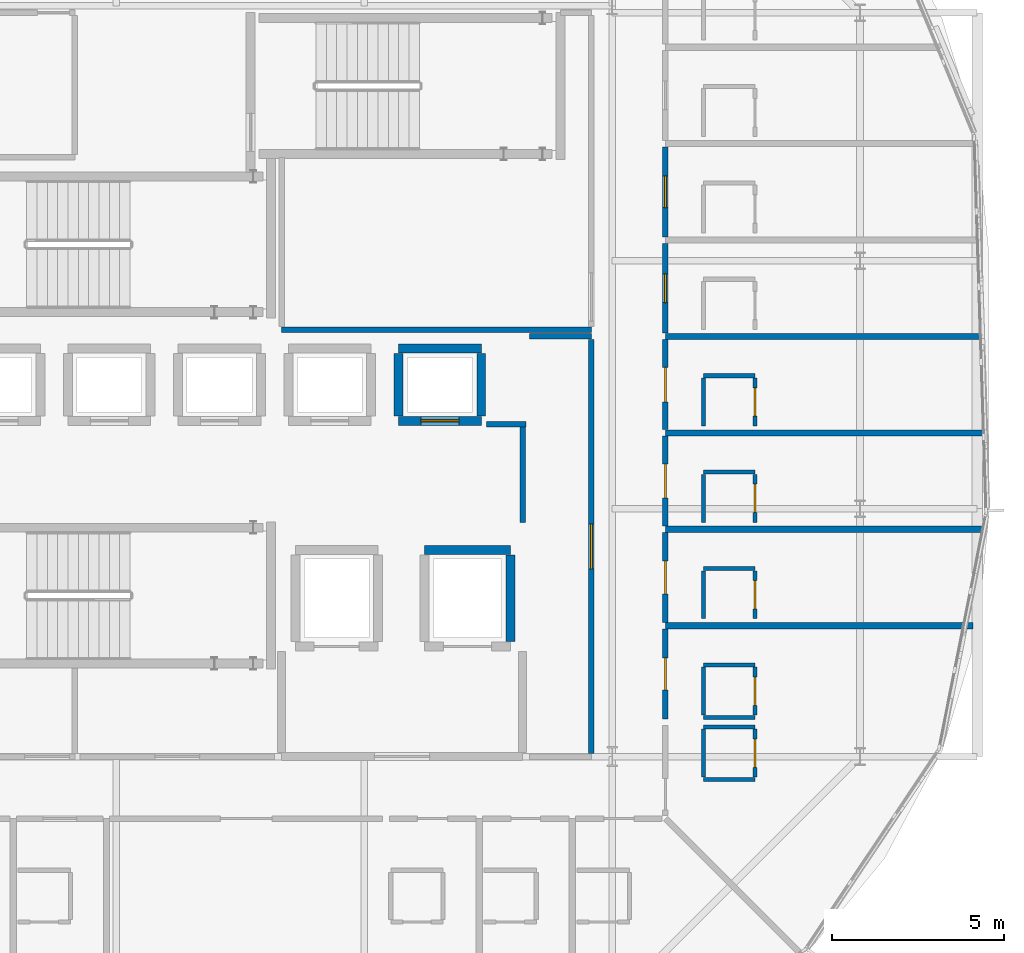
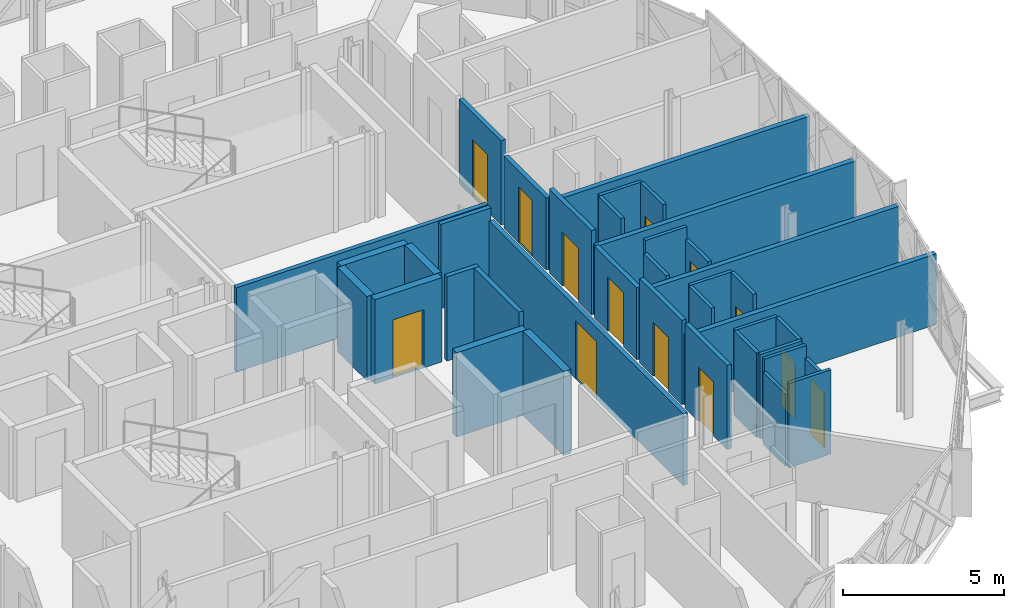
# One storey, part 18 of 26: 38 walls, 13 doors, 13 openings.
"""IFC4 building model written with IfcOpenShell, lengths in metres."""

from ifc_helpers import new_model, si_unit, direction, frame, frame_2d, origin, place, context, subcontext, project, spatial, rectangle, extrude, material, layer, layer_set, type_object, element, fill, save


model = new_model("IFC4")

# Units and contexts
model_context = context("Model", 3, precision=1e-05, world=origin(), true_north=direction((0.0, 1.0)))
body_context = subcontext(model_context, "Body", "Model", "MODEL_VIEW")
ifc_project = project(units=[si_unit("LENGTHUNIT", "METRE"), si_unit("AREAUNIT", "SQUARE_METRE"), si_unit("VOLUMEUNIT", "CUBIC_METRE"), si_unit("PLANEANGLEUNIT", "RADIAN"), si_unit("MASSUNIT", "GRAM", prefix="KILO")], contexts=[model_context])

# Site, building, storey
site_placement = place(None, origin())
site = spatial("IfcSite", under=ifc_project, at=site_placement, CompositionType="ELEMENT")
building_placement = place(site_placement, origin())
building = spatial("IfcBuilding", under=site, at=building_placement, Name="Zevrakil Square Congress Hotel", CompositionType="ELEMENT")
storey_placement = place(building_placement, frame((0.0, 0.0, 24.89990234375)))
storey = spatial("IfcBuildingStorey", under=building, at=storey_placement, Name="L07", CompositionType="ELEMENT", Elevation=24.89990234375)

# Walls
ifc_material_1 = material(Name="Gypsum Acoustic Stud Partition")
ifc_layer_1 = layer(ifc_material_1, 0.159912109375)
ifc_layer_set_1 = layer_set([ifc_layer_1], Name="Gypsum Acoustic Stud Partition")
wall_type_1 = type_object("IfcWallType", Name="WAL-CORR-160", PredefinedType="PARTITIONING", material=ifc_layer_set_1)
wall_1_placement = place(storey_placement, frame((146.39990234375, 29.199951171875, 0.0), z_axis=(0.0, 0.0, 1.0), x_axis=(1.0, 0.0, 0.0)))
element("IfcWall", 1, at=wall_1_placement, inside=storey, type_object=wall_type_1, Name="L07 interior partition PW-L07-0931", PredefinedType="PARTITIONING", context=body_context, shape_type="SweptSolid", body=[
    extrude(rectangle(XDim=9.0, YDim=0.159912109375, at=frame_2d((4.5, 0.0))), origin(), (0.0, 0.0, 1.0), 3.190185546875),
])
wall_2_placement = place(storey_placement, frame((153.60009765625, 29.0, 0.0), z_axis=(0.0, 0.0, 1.0), x_axis=(1.0, 0.0, 0.0)))
element("IfcWall", 2, at=wall_2_placement, inside=storey, type_object=wall_type_1, Name="L07 interior partition PW-L07-0936", PredefinedType="PARTITIONING", context=body_context, shape_type="SweptSolid", body=[
    extrude(rectangle(XDim=1.7998046875, YDim=0.159912109375, at=frame_2d((0.89990234375, 0.0))), origin(), (0.0, 0.0, 1.0), 3.190185546875),
])

# Wall, opening, door
wall_3_placement = place(storey_placement, frame((155.39990234375, 16.885009765625, 0.0), z_axis=(0.0, 0.0, 1.0), x_axis=(0.0, 1.0, 0.0)))
wall_3 = element("IfcWall", 3, at=wall_3_placement, inside=storey, type_object=wall_type_1, Name="L07 interior partition PW-L07-0937", PredefinedType="PARTITIONING", context=body_context, shape_type="SweptSolid", body=[
    extrude(rectangle(XDim=12.030029296875, YDim=0.159912109375, at=frame_2d((6.01513671875, 0.0))), origin(), (0.0, 0.0, 1.0), 2.72509765625),
])
opening_1_placement = place(wall_3_placement, frame((5.364990234375, 0.0, 0.0)))
opening_1 = element("IfcOpeningElement", 4, at=opening_1_placement, cuts=wall_3, Name="Opening ID-08", PredefinedType="OPENING", context=body_context, shape_type="SweptSolid", body=[
    extrude(rectangle(XDim=1.300048828125, YDim=2.199951171875, at=frame_2d((0.64990234375, 1.10009765625))), frame((0.0, 0.08984375, 0.0), z_axis=(0.0, -1.0, 0.0), x_axis=(1.0, 0.0, 0.0)), (0.0, 0.0, 1.0), 0.179931640625),
])
ifc_material_2 = material(Name="Service Corridor Leaf-and-Half Door")
door_type_1 = type_object("IfcDoorType", Name="DOR-BOH-130", OperationType="NOTDEFINED", PredefinedType="DOOR", material=ifc_material_2)
door_1_placement = place(opening_1_placement, origin())
door_1 = element("IfcDoor", 5, at=door_1_placement, inside=storey, type_object=door_type_1, Name="L07 interior door 368", OperationType="SINGLE_SWING_RIGHT", OverallHeight=2.199951171875, OverallWidth=1.300048828125, PredefinedType="DOOR", context=body_context, shape_type="SweptSolid", body=[
    extrude(rectangle(XDim=1.300048828125, YDim=2.199951171875, at=frame_2d((0.64990234375, 1.10009765625))), frame((0.0, 0.02490234375, 0.0), z_axis=(0.0, -1.0, 0.0), x_axis=(1.0, 0.0, 0.0)), (0.0, 0.0, 1.0), 0.050048828125),
])
fill(opening_1, door_1)

# Walls
wall_4_placement = place(storey_placement, frame((152.35009765625, 26.449951171875, 0.0), z_axis=(0.0, 0.0, 1.0), x_axis=(1.0, 0.0, 0.0)))
element("IfcWall", 6, at=wall_4_placement, inside=storey, type_object=wall_type_1, Name="L07 interior partition PW-L07-0938", PredefinedType="PARTITIONING", context=body_context, shape_type="SweptSolid", body=[
    extrude(rectangle(XDim=1.14990234375, YDim=0.159912109375, at=frame_2d((0.574951171875, 0.0))), origin(), (0.0, 0.0, 1.0), 3.190185546875),
])
wall_5_placement = place(storey_placement, frame((153.39990234375, 23.60009765625, 0.0), z_axis=(0.0, 0.0, 1.0), x_axis=(0.0, 1.0, 0.0)))
element("IfcWall", 7, at=wall_5_placement, inside=storey, type_object=wall_type_1, Name="L07 interior partition PW-L07-0939", PredefinedType="PARTITIONING", context=body_context, shape_type="SweptSolid", body=[
    extrude(rectangle(XDim=2.7998046875, YDim=0.159912109375, at=frame_2d((1.39990234375, 0.0))), origin(), (0.0, 0.0, 1.0), 3.190185546875),
])

# Wall, opening, door
wall_6_placement = place(storey_placement, frame((157.550048828125, 17.89501953125, 0.0), z_axis=(0.0, 0.0, 1.0), x_axis=(0.0, 1.0, 0.0)))
wall_6 = element("IfcWall", 8, at=wall_6_placement, inside=storey, type_object=wall_type_1, Name="L07 interior partition PW-L07-0979", PredefinedType="PARTITIONING", context=body_context, shape_type="SweptSolid", body=[
    extrude(rectangle(XDim=2.60986328125, YDim=0.159912109375, at=frame_2d((1.304931640625, 0.0))), origin(), (0.0, 0.0, 1.0), 3.190185546875),
])
opening_2_placement = place(wall_6_placement, frame((0.840087890625, 0.0, 0.0)))
opening_2 = element("IfcOpeningElement", 9, at=opening_2_placement, cuts=wall_6, Name="Opening ID-G04", PredefinedType="OPENING", context=body_context, shape_type="SweptSolid", body=[
    extrude(rectangle(XDim=0.929931640625, YDim=2.050048828125, at=frame_2d((0.46484375, 1.02490234375))), frame((0.0, 0.08984375, 0.0), z_axis=(0.0, -1.0, 0.0), x_axis=(1.0, 0.0, 0.0)), (0.0, 0.0, 1.0), 0.179931640625),
])
ifc_material_3 = material(Name="Acoustic Timber Fire Door", Category="wood")
door_type_2 = type_object("IfcDoorType", Name="DOR-INT-G04", OperationType="NOTDEFINED", PredefinedType="DOOR", material=ifc_material_3)
door_2_placement = place(opening_2_placement, origin())
door_2 = element("IfcDoor", 10, at=door_2_placement, inside=storey, type_object=door_type_2, Name="L07 interior door 384", OperationType="SINGLE_SWING_RIGHT", OverallHeight=2.050048828125, OverallWidth=0.929931640625, PredefinedType="DOOR", context=body_context, shape_type="SweptSolid", body=[
    extrude(rectangle(XDim=0.929931640625, YDim=2.050048828125, at=frame_2d((0.46484375, 1.02490234375))), frame((0.0, 0.02490234375, 0.0), z_axis=(0.0, -1.0, 0.0), x_axis=(1.0, 0.0, 0.0)), (0.0, 0.0, 1.0), 0.050048828125),
])
fill(opening_2, door_2)

wall_7_placement = place(storey_placement, frame((157.550048828125, 20.695068359375, 0.0), z_axis=(0.0, 0.0, 1.0), x_axis=(0.0, 1.0, 0.0)))
wall_7 = element("IfcWall", 11, at=wall_7_placement, inside=storey, type_object=wall_type_1, Name="L07 interior partition PW-L07-0985", PredefinedType="PARTITIONING", context=body_context, shape_type="SweptSolid", body=[
    extrude(rectangle(XDim=2.60986328125, YDim=0.159912109375, at=frame_2d((1.304931640625, 0.0))), origin(), (0.0, 0.0, 1.0), 3.190185546875),
])
opening_3_placement = place(wall_7_placement, frame((0.827392578125, 0.0, 0.0)))
opening_3 = element("IfcOpeningElement", 12, at=opening_3_placement, cuts=wall_7, Name="Opening ID-G05", PredefinedType="OPENING", context=body_context, shape_type="SweptSolid", body=[
    extrude(rectangle(XDim=0.955078125, YDim=2.050048828125, at=frame_2d((0.4775390625, 1.02490234375))), frame((0.0, 0.08984375, 0.0), z_axis=(0.0, -1.0, 0.0), x_axis=(1.0, 0.0, 0.0)), (0.0, 0.0, 1.0), 0.179931640625),
])
ifc_material_4 = material(Name="Acoustic Timber Fire Door", Category="wood")
door_type_3 = type_object("IfcDoorType", Name="DOR-INT-G05", OperationType="NOTDEFINED", PredefinedType="DOOR", material=ifc_material_4)
door_3_placement = place(opening_3_placement, origin())
door_3 = element("IfcDoor", 13, at=door_3_placement, inside=storey, type_object=door_type_3, Name="L07 interior door 386", OperationType="SINGLE_SWING_RIGHT", OverallHeight=2.050048828125, OverallWidth=0.955078125, PredefinedType="DOOR", context=body_context, shape_type="SweptSolid", body=[
    extrude(rectangle(XDim=0.955078125, YDim=2.050048828125, at=frame_2d((0.4775390625, 1.02490234375))), frame((0.0, 0.02490234375, 0.0), z_axis=(0.0, -1.0, 0.0), x_axis=(1.0, 0.0, 0.0)), (0.0, 0.0, 1.0), 0.050048828125),
])
fill(opening_3, door_3)

wall_8_placement = place(storey_placement, frame((157.550048828125, 23.4951171875, 0.0), z_axis=(0.0, 0.0, 1.0), x_axis=(0.0, 1.0, 0.0)))
wall_8 = element("IfcWall", 14, at=wall_8_placement, inside=storey, type_object=wall_type_1, Name="L07 interior partition PW-L07-0990", PredefinedType="PARTITIONING", context=body_context, shape_type="SweptSolid", body=[
    extrude(rectangle(XDim=2.60986328125, YDim=0.159912109375, at=frame_2d((1.304931640625, 0.0))), origin(), (0.0, 0.0, 1.0), 2.72509765625),
])
opening_4_placement = place(wall_8_placement, frame((0.81494140625, 0.0, 0.0)))
opening_4 = element("IfcOpeningElement", 15, at=opening_4_placement, cuts=wall_8, Name="Opening ID-G06", PredefinedType="OPENING", context=body_context, shape_type="SweptSolid", body=[
    extrude(rectangle(XDim=0.97998046875, YDim=2.050048828125, at=frame_2d((0.489990234375, 1.02490234375))), frame((0.0, 0.08984375, 0.0), z_axis=(0.0, -1.0, 0.0), x_axis=(1.0, 0.0, 0.0)), (0.0, 0.0, 1.0), 0.179931640625),
])
ifc_material_5 = material(Name="Acoustic Timber Fire Door", Category="wood")
door_type_4 = type_object("IfcDoorType", Name="DOR-INT-G06", OperationType="NOTDEFINED", PredefinedType="DOOR", material=ifc_material_5)
door_4_placement = place(opening_4_placement, origin())
door_4 = element("IfcDoor", 16, at=door_4_placement, inside=storey, type_object=door_type_4, Name="L07 interior door 388", OperationType="SINGLE_SWING_RIGHT", OverallHeight=2.050048828125, OverallWidth=0.97998046875, PredefinedType="DOOR", context=body_context, shape_type="SweptSolid", body=[
    extrude(rectangle(XDim=0.97998046875, YDim=2.050048828125, at=frame_2d((0.489990234375, 1.02490234375))), frame((0.0, 0.02490234375, 0.0), z_axis=(0.0, -1.0, 0.0), x_axis=(1.0, 0.0, 0.0)), (0.0, 0.0, 1.0), 0.050048828125),
])
fill(opening_4, door_4)

wall_9_placement = place(storey_placement, frame((157.550048828125, 26.294921875, 0.0), z_axis=(0.0, 0.0, 1.0), x_axis=(0.0, 1.0, 0.0)))
wall_9 = element("IfcWall", 17, at=wall_9_placement, inside=storey, type_object=wall_type_1, Name="L07 interior partition PW-L07-0995", PredefinedType="PARTITIONING", context=body_context, shape_type="SweptSolid", body=[
    extrude(rectangle(XDim=2.610107421875, YDim=0.159912109375, at=frame_2d((1.30517578125, 0.0))), origin(), (0.0, 0.0, 1.0), 3.190185546875),
])
opening_5_placement = place(wall_9_placement, frame((0.802490234375, 0.0, 0.0)))
opening_5 = element("IfcOpeningElement", 18, at=opening_5_placement, cuts=wall_9, Name="Opening ID-G07", PredefinedType="OPENING", context=body_context, shape_type="SweptSolid", body=[
    extrude(rectangle(XDim=1.0048828125, YDim=2.050048828125, at=frame_2d((0.50244140625, 1.02490234375))), frame((0.0, 0.08984375, 0.0), z_axis=(0.0, -1.0, 0.0), x_axis=(1.0, 0.0, 0.0)), (0.0, 0.0, 1.0), 0.179931640625),
])
ifc_material_6 = material(Name="Acoustic Timber Fire Door", Category="wood")
door_type_5 = type_object("IfcDoorType", Name="DOR-INT-G07", OperationType="NOTDEFINED", PredefinedType="DOOR", material=ifc_material_6)
door_5_placement = place(opening_5_placement, origin())
door_5 = element("IfcDoor", 19, at=door_5_placement, inside=storey, type_object=door_type_5, Name="L07 interior door 390", OperationType="SINGLE_SWING_RIGHT", OverallHeight=2.050048828125, OverallWidth=1.0048828125, PredefinedType="DOOR", context=body_context, shape_type="SweptSolid", body=[
    extrude(rectangle(XDim=1.0048828125, YDim=2.050048828125, at=frame_2d((0.50244140625, 1.02490234375))), frame((0.0, 0.02490234375, 0.0), z_axis=(0.0, -1.0, 0.0), x_axis=(1.0, 0.0, 0.0)), (0.0, 0.0, 1.0), 0.050048828125),
])
fill(opening_5, door_5)

wall_10_placement = place(storey_placement, frame((157.550048828125, 29.094970703125, 0.0), z_axis=(0.0, 0.0, 1.0), x_axis=(0.0, 1.0, 0.0)))
wall_10 = element("IfcWall", 20, at=wall_10_placement, inside=storey, type_object=wall_type_1, Name="L07 interior partition PW-L07-1000", PredefinedType="PARTITIONING", context=body_context, shape_type="SweptSolid", body=[
    extrude(rectangle(XDim=2.610107421875, YDim=0.159912109375, at=frame_2d((1.30517578125, 0.0))), origin(), (0.0, 0.0, 1.0), 2.72509765625),
])
opening_6_placement = place(wall_10_placement, frame((0.889892578125, 0.0, 0.0)))
opening_6 = element("IfcOpeningElement", 21, at=opening_6_placement, cuts=wall_10, Name="Opening ID-G10", PredefinedType="OPENING", context=body_context, shape_type="SweptSolid", body=[
    extrude(rectangle(XDim=0.830078125, YDim=2.110107421875, at=frame_2d((0.4150390625, 1.05517578125))), frame((0.0, 0.08984375, 0.0), z_axis=(0.0, -1.0, 0.0), x_axis=(1.0, 0.0, 0.0)), (0.0, 0.0, 1.0), 0.179931640625),
])
ifc_material_7 = material(Name="Acoustic Timber Fire Door", Category="wood")
door_type_6 = type_object("IfcDoorType", Name="DOR-INT-G10", OperationType="NOTDEFINED", PredefinedType="DOOR", material=ifc_material_7)
door_6_placement = place(opening_6_placement, origin())
door_6 = element("IfcDoor", 22, at=door_6_placement, inside=storey, type_object=door_type_6, Name="L07 interior door 392", OperationType="SINGLE_SWING_RIGHT", OverallHeight=2.110107421875, OverallWidth=0.830078125, PredefinedType="DOOR", context=body_context, shape_type="SweptSolid", body=[
    extrude(rectangle(XDim=0.830078125, YDim=2.110107421875, at=frame_2d((0.4150390625, 1.05517578125))), frame((0.0, 0.02490234375, 0.0), z_axis=(0.0, -1.0, 0.0), x_axis=(1.0, 0.0, 0.0)), (0.0, 0.0, 1.0), 0.050048828125),
])
fill(opening_6, door_6)

wall_11_placement = place(storey_placement, frame((157.550048828125, 31.89501953125, 0.0), z_axis=(0.0, 0.0, 1.0), x_axis=(0.0, 1.0, 0.0)))
wall_11 = element("IfcWall", 23, at=wall_11_placement, inside=storey, type_object=wall_type_1, Name="L07 interior partition PW-L07-1005", PredefinedType="PARTITIONING", context=body_context, shape_type="SweptSolid", body=[
    extrude(rectangle(XDim=2.60986328125, YDim=0.159912109375, at=frame_2d((1.304931640625, 0.0))), origin(), (0.0, 0.0, 1.0), 3.190185546875),
])
opening_7_placement = place(wall_11_placement, frame((0.843017578125, 0.0, 0.0)))
opening_7 = element("IfcOpeningElement", 24, at=opening_7_placement, cuts=wall_11, Name="Opening ID-H07", PredefinedType="OPENING", context=body_context, shape_type="SweptSolid", body=[
    extrude(rectangle(XDim=0.924072265625, YDim=2.159912109375, at=frame_2d((0.4619140625, 1.080078125))), frame((0.0, 0.08984375, 0.0), z_axis=(0.0, -1.0, 0.0), x_axis=(1.0, 0.0, 0.0)), (0.0, 0.0, 1.0), 0.179931640625),
])
ifc_material_8 = material(Name="Acoustic Timber Fire Door", Category="wood")
door_type_7 = type_object("IfcDoorType", Name="DOR-INT-H07", OperationType="NOTDEFINED", PredefinedType="DOOR", material=ifc_material_8)
door_7_placement = place(opening_7_placement, origin())
door_7 = element("IfcDoor", 25, at=door_7_placement, inside=storey, type_object=door_type_7, Name="L07 interior door 394", OperationType="SINGLE_SWING_RIGHT", OverallHeight=2.159912109375, OverallWidth=0.924072265625, PredefinedType="DOOR", context=body_context, shape_type="SweptSolid", body=[
    extrude(rectangle(XDim=0.924072265625, YDim=2.159912109375, at=frame_2d((0.4619140625, 1.080078125))), frame((0.0, 0.02490234375, 0.0), z_axis=(0.0, -1.0, 0.0), x_axis=(1.0, 0.0, 0.0)), (0.0, 0.0, 1.0), 0.050048828125),
])
fill(opening_7, door_7)

# Walls
ifc_material_9 = material(Name="Moisture-Resistant Gypsum Partition")
ifc_layer_2 = layer(ifc_material_9, 0.1201171875)
ifc_layer_set_2 = layer_set([ifc_layer_2], Name="Moisture-Resistant Gypsum Partition")
wall_type_2 = type_object("IfcWallType", Name="WAL-ENS-120", PredefinedType="PARTITIONING", material=ifc_layer_set_2)
for number, where, z_axis, x_axis, name in (
    (26, (158.64990234375, 16.139892578125, 0.0), (0.0, 0.0, 1.0), (1.0, 0.0, 0.0), "L07 interior partition PW-L07-0975"),
    (27, (158.64990234375, 17.659912109375, 0.0), (0.0, 0.0, 1.0), (1.0, 0.0, 0.0), "L07 interior partition PW-L07-0976"),
):
    element("IfcWall", number, at=place(storey_placement, frame(where, z_axis=z_axis, x_axis=x_axis)), inside=storey, type_object=wall_type_2, Name=name, PredefinedType="PARTITIONING", context=body_context, shape_type="SweptSolid", body=[
        extrude(rectangle(XDim=1.5, YDim=0.1201171875, at=frame_2d((0.75, 0.0))), origin(), (0.0, 0.0, 1.0), 3.190185546875),
    ])
wall_12_placement = place(storey_placement, frame((158.64990234375, 16.205078125, 0.0), z_axis=(0.0, 0.0, 1.0), x_axis=(0.0, 1.0, 0.0)))
element("IfcWall", 28, at=wall_12_placement, inside=storey, type_object=wall_type_2, Name="L07 interior partition PW-L07-0977", PredefinedType="PARTITIONING", context=body_context, shape_type="SweptSolid", body=[
    extrude(rectangle(XDim=1.389892578125, YDim=0.1201171875, at=frame_2d((0.69482421875, 0.0))), origin(), (0.0, 0.0, 1.0), 2.72509765625),
])

# Wall, opening, door
wall_13_placement = place(storey_placement, frame((160.14990234375, 16.205078125, 0.0), z_axis=(0.0, 0.0, 1.0), x_axis=(0.0, 1.0, 0.0)))
wall_13 = element("IfcWall", 29, at=wall_13_placement, inside=storey, type_object=wall_type_2, Name="L07 interior partition PW-L07-0978", PredefinedType="PARTITIONING", context=body_context, shape_type="SweptSolid", body=[
    extrude(rectangle(XDim=1.389892578125, YDim=0.1201171875, at=frame_2d((0.69482421875, 0.0))), origin(), (0.0, 0.0, 1.0), 2.72509765625),
])
opening_8_placement = place(wall_13_placement, frame((0.284912109375, 0.0, 0.0)))
opening_8 = element("IfcOpeningElement", 30, at=opening_8_placement, cuts=wall_13, Name="Opening ID-11", PredefinedType="OPENING", context=body_context, shape_type="SweptSolid", body=[
    extrude(rectangle(XDim=0.820068359375, YDim=2.080078125, at=frame_2d((0.41015625, 1.0400390625))), frame((0.0, 0.070068359375, 0.0), z_axis=(0.0, -1.0, 0.0), x_axis=(1.0, 0.0, 0.0)), (0.0, 0.0, 1.0), 0.14013671875),
])
ifc_material_10 = material(Name="Acoustic Timber Door", Category="wood")
door_type_8 = type_object("IfcDoorType", Name="DOR-INT-V01", OperationType="NOTDEFINED", PredefinedType="DOOR", material=ifc_material_10)
door_8_placement = place(opening_8_placement, origin())
door_8 = element("IfcDoor", 31, at=door_8_placement, inside=storey, type_object=door_type_8, Name="L07 interior door 383", OperationType="SINGLE_SWING_LEFT", OverallHeight=2.080078125, OverallWidth=0.820068359375, PredefinedType="DOOR", context=body_context, shape_type="SweptSolid", body=[
    extrude(rectangle(XDim=0.820068359375, YDim=2.080078125, at=frame_2d((0.41015625, 1.0400390625))), frame((0.0, 0.02490234375, 0.0), z_axis=(0.0, -1.0, 0.0), x_axis=(1.0, 0.0, 0.0)), (0.0, 0.0, 1.0), 0.050048828125),
])
fill(opening_8, door_8)

# Walls
for number, where, z_axis, x_axis, name in (
    (32, (158.64990234375, 17.93994140625, 0.0), (0.0, 0.0, 1.0), (1.0, 0.0, 0.0), "L07 interior partition PW-L07-0980"),
    (33, (158.64990234375, 19.4599609375, 0.0), (0.0, 0.0, 1.0), (1.0, 0.0, 0.0), "L07 interior partition PW-L07-0981"),
):
    element("IfcWall", number, at=place(storey_placement, frame(where, z_axis=z_axis, x_axis=x_axis)), inside=storey, type_object=wall_type_2, Name=name, PredefinedType="PARTITIONING", context=body_context, shape_type="SweptSolid", body=[
        extrude(rectangle(XDim=1.5, YDim=0.1201171875, at=frame_2d((0.75, 0.0))), origin(), (0.0, 0.0, 1.0), 3.190185546875),
    ])
wall_14_placement = place(storey_placement, frame((158.64990234375, 18.0048828125, 0.0), z_axis=(0.0, 0.0, 1.0), x_axis=(0.0, 1.0, 0.0)))
element("IfcWall", 34, at=wall_14_placement, inside=storey, type_object=wall_type_2, Name="L07 interior partition PW-L07-0982", PredefinedType="PARTITIONING", context=body_context, shape_type="SweptSolid", body=[
    extrude(rectangle(XDim=1.39013671875, YDim=0.1201171875, at=frame_2d((0.695068359375, 0.0))), origin(), (0.0, 0.0, 1.0), 3.190185546875),
])

# Wall, opening, door
wall_15_placement = place(storey_placement, frame((160.14990234375, 18.0048828125, 0.0), z_axis=(0.0, 0.0, 1.0), x_axis=(0.0, 1.0, 0.0)))
wall_15 = element("IfcWall", 35, at=wall_15_placement, inside=storey, type_object=wall_type_2, Name="L07 interior partition PW-L07-0983", PredefinedType="PARTITIONING", context=body_context, shape_type="SweptSolid", body=[
    extrude(rectangle(XDim=1.39013671875, YDim=0.1201171875, at=frame_2d((0.695068359375, 0.0))), origin(), (0.0, 0.0, 1.0), 3.190185546875),
])
opening_9_placement = place(wall_15_placement, frame((0.284912109375, 0.0, 0.0)))
opening_9 = element("IfcOpeningElement", 36, at=opening_9_placement, cuts=wall_15, Name="Opening ID-11", PredefinedType="OPENING", context=body_context, shape_type="SweptSolid", body=[
    extrude(rectangle(XDim=0.820068359375, YDim=2.080078125, at=frame_2d((0.41015625, 1.0400390625))), frame((0.0, 0.070068359375, 0.0), z_axis=(0.0, -1.0, 0.0), x_axis=(1.0, 0.0, 0.0)), (0.0, 0.0, 1.0), 0.14013671875),
])
door_9_placement = place(opening_9_placement, origin())
door_9 = element("IfcDoor", 37, at=door_9_placement, inside=storey, type_object=door_type_8, Name="L07 interior door 385", OperationType="SINGLE_SWING_LEFT", OverallHeight=2.080078125, OverallWidth=0.820068359375, PredefinedType="DOOR", context=body_context, shape_type="SweptSolid", body=[
    extrude(rectangle(XDim=0.820068359375, YDim=2.080078125, at=frame_2d((0.41015625, 1.0400390625))), frame((0.0, 0.02490234375, 0.0), z_axis=(0.0, -1.0, 0.0), x_axis=(1.0, 0.0, 0.0)), (0.0, 0.0, 1.0), 0.050048828125),
])
fill(opening_9, door_9)

# Walls
wall_16_placement = place(storey_placement, frame((158.64990234375, 22.260009765625, 0.0), z_axis=(0.0, 0.0, 1.0), x_axis=(1.0, 0.0, 0.0)))
element("IfcWall", 38, at=wall_16_placement, inside=storey, type_object=wall_type_2, Name="L07 interior partition PW-L07-0986", PredefinedType="PARTITIONING", context=body_context, shape_type="SweptSolid", body=[
    extrude(rectangle(XDim=1.5, YDim=0.1201171875, at=frame_2d((0.75, 0.0))), origin(), (0.0, 0.0, 1.0), 3.190185546875),
])
wall_17_placement = place(storey_placement, frame((158.64990234375, 20.804931640625, 0.0), z_axis=(0.0, 0.0, 1.0), x_axis=(0.0, 1.0, 0.0)))
element("IfcWall", 39, at=wall_17_placement, inside=storey, type_object=wall_type_2, Name="L07 interior partition PW-L07-0987", PredefinedType="PARTITIONING", context=body_context, shape_type="SweptSolid", body=[
    extrude(rectangle(XDim=1.39013671875, YDim=0.1201171875, at=frame_2d((0.695068359375, 0.0))), origin(), (0.0, 0.0, 1.0), 3.190185546875),
])

# Wall, opening, door
wall_18_placement = place(storey_placement, frame((160.14990234375, 20.804931640625, 0.0), z_axis=(0.0, 0.0, 1.0), x_axis=(0.0, 1.0, 0.0)))
wall_18 = element("IfcWall", 40, at=wall_18_placement, inside=storey, type_object=wall_type_2, Name="L07 interior partition PW-L07-0988", PredefinedType="PARTITIONING", context=body_context, shape_type="SweptSolid", body=[
    extrude(rectangle(XDim=1.39013671875, YDim=0.1201171875, at=frame_2d((0.695068359375, 0.0))), origin(), (0.0, 0.0, 1.0), 3.190185546875),
])
opening_10_placement = place(wall_18_placement, frame((0.284912109375, 0.0, 0.0)))
opening_10 = element("IfcOpeningElement", 41, at=opening_10_placement, cuts=wall_18, Name="Opening ID-11", PredefinedType="OPENING", context=body_context, shape_type="SweptSolid", body=[
    extrude(rectangle(XDim=0.820068359375, YDim=2.080078125, at=frame_2d((0.41015625, 1.0400390625))), frame((0.0, 0.070068359375, 0.0), z_axis=(0.0, -1.0, 0.0), x_axis=(1.0, 0.0, 0.0)), (0.0, 0.0, 1.0), 0.14013671875),
])
door_10_placement = place(opening_10_placement, origin())
door_10 = element("IfcDoor", 42, at=door_10_placement, inside=storey, type_object=door_type_8, Name="L07 interior door 387", OperationType="SINGLE_SWING_LEFT", OverallHeight=2.080078125, OverallWidth=0.820068359375, PredefinedType="DOOR", context=body_context, shape_type="SweptSolid", body=[
    extrude(rectangle(XDim=0.820068359375, YDim=2.080078125, at=frame_2d((0.41015625, 1.0400390625))), frame((0.0, 0.02490234375, 0.0), z_axis=(0.0, -1.0, 0.0), x_axis=(1.0, 0.0, 0.0)), (0.0, 0.0, 1.0), 0.050048828125),
])
fill(opening_10, door_10)

# Walls
wall_19_placement = place(storey_placement, frame((158.64990234375, 25.06005859375, 0.0), z_axis=(0.0, 0.0, 1.0), x_axis=(1.0, 0.0, 0.0)))
element("IfcWall", 43, at=wall_19_placement, inside=storey, type_object=wall_type_2, Name="L07 interior partition PW-L07-0991", PredefinedType="PARTITIONING", context=body_context, shape_type="SweptSolid", body=[
    extrude(rectangle(XDim=1.5, YDim=0.1201171875, at=frame_2d((0.75, 0.0))), origin(), (0.0, 0.0, 1.0), 3.190185546875),
])
wall_20_placement = place(storey_placement, frame((158.64990234375, 23.60498046875, 0.0), z_axis=(0.0, 0.0, 1.0), x_axis=(0.0, 1.0, 0.0)))
element("IfcWall", 44, at=wall_20_placement, inside=storey, type_object=wall_type_2, Name="L07 interior partition PW-L07-0992", PredefinedType="PARTITIONING", context=body_context, shape_type="SweptSolid", body=[
    extrude(rectangle(XDim=1.39013671875, YDim=0.1201171875, at=frame_2d((0.695068359375, 0.0))), origin(), (0.0, 0.0, 1.0), 2.72509765625),
])

# Wall, opening, door
wall_21_placement = place(storey_placement, frame((160.14990234375, 23.60498046875, 0.0), z_axis=(0.0, 0.0, 1.0), x_axis=(0.0, 1.0, 0.0)))
wall_21 = element("IfcWall", 45, at=wall_21_placement, inside=storey, type_object=wall_type_2, Name="L07 interior partition PW-L07-0993", PredefinedType="PARTITIONING", context=body_context, shape_type="SweptSolid", body=[
    extrude(rectangle(XDim=1.39013671875, YDim=0.1201171875, at=frame_2d((0.695068359375, 0.0))), origin(), (0.0, 0.0, 1.0), 2.72509765625),
])
opening_11_placement = place(wall_21_placement, frame((0.284912109375, 0.0, 0.0)))
opening_11 = element("IfcOpeningElement", 46, at=opening_11_placement, cuts=wall_21, Name="Opening ID-11", PredefinedType="OPENING", context=body_context, shape_type="SweptSolid", body=[
    extrude(rectangle(XDim=0.820068359375, YDim=2.080078125, at=frame_2d((0.41015625, 1.0400390625))), frame((0.0, 0.070068359375, 0.0), z_axis=(0.0, -1.0, 0.0), x_axis=(1.0, 0.0, 0.0)), (0.0, 0.0, 1.0), 0.14013671875),
])
door_11_placement = place(opening_11_placement, origin())
door_11 = element("IfcDoor", 47, at=door_11_placement, inside=storey, type_object=door_type_8, Name="L07 interior door 389", OperationType="SINGLE_SWING_LEFT", OverallHeight=2.080078125, OverallWidth=0.820068359375, PredefinedType="DOOR", context=body_context, shape_type="SweptSolid", body=[
    extrude(rectangle(XDim=0.820068359375, YDim=2.080078125, at=frame_2d((0.41015625, 1.0400390625))), frame((0.0, 0.02490234375, 0.0), z_axis=(0.0, -1.0, 0.0), x_axis=(1.0, 0.0, 0.0)), (0.0, 0.0, 1.0), 0.050048828125),
])
fill(opening_11, door_11)

# Walls
wall_22_placement = place(storey_placement, frame((158.64990234375, 27.860107421875, 0.0), z_axis=(0.0, 0.0, 1.0), x_axis=(1.0, 0.0, 0.0)))
element("IfcWall", 48, at=wall_22_placement, inside=storey, type_object=wall_type_2, Name="L07 interior partition PW-L07-0996", PredefinedType="PARTITIONING", context=body_context, shape_type="SweptSolid", body=[
    extrude(rectangle(XDim=1.5, YDim=0.1201171875, at=frame_2d((0.75, 0.0))), origin(), (0.0, 0.0, 1.0), 3.190185546875),
])
wall_23_placement = place(storey_placement, frame((158.64990234375, 26.405029296875, 0.0), z_axis=(0.0, 0.0, 1.0), x_axis=(0.0, 1.0, 0.0)))
element("IfcWall", 49, at=wall_23_placement, inside=storey, type_object=wall_type_2, Name="L07 interior partition PW-L07-0997", PredefinedType="PARTITIONING", context=body_context, shape_type="SweptSolid", body=[
    extrude(rectangle(XDim=1.389892578125, YDim=0.1201171875, at=frame_2d((0.69482421875, 0.0))), origin(), (0.0, 0.0, 1.0), 3.190185546875),
])

# Wall, opening, door
wall_24_placement = place(storey_placement, frame((160.14990234375, 26.405029296875, 0.0), z_axis=(0.0, 0.0, 1.0), x_axis=(0.0, 1.0, 0.0)))
wall_24 = element("IfcWall", 50, at=wall_24_placement, inside=storey, type_object=wall_type_2, Name="L07 interior partition PW-L07-0998", PredefinedType="PARTITIONING", context=body_context, shape_type="SweptSolid", body=[
    extrude(rectangle(XDim=1.389892578125, YDim=0.1201171875, at=frame_2d((0.69482421875, 0.0))), origin(), (0.0, 0.0, 1.0), 3.190185546875),
])
opening_12_placement = place(wall_24_placement, frame((0.284912109375, 0.0, 0.0)))
opening_12 = element("IfcOpeningElement", 51, at=opening_12_placement, cuts=wall_24, Name="Opening ID-11", PredefinedType="OPENING", context=body_context, shape_type="SweptSolid", body=[
    extrude(rectangle(XDim=0.820068359375, YDim=2.080078125, at=frame_2d((0.41015625, 1.0400390625))), frame((0.0, 0.070068359375, 0.0), z_axis=(0.0, -1.0, 0.0), x_axis=(1.0, 0.0, 0.0)), (0.0, 0.0, 1.0), 0.14013671875),
])
door_12_placement = place(opening_12_placement, origin())
door_12 = element("IfcDoor", 52, at=door_12_placement, inside=storey, type_object=door_type_8, Name="L07 interior door 391", OperationType="SINGLE_SWING_LEFT", OverallHeight=2.080078125, OverallWidth=0.820068359375, PredefinedType="DOOR", context=body_context, shape_type="SweptSolid", body=[
    extrude(rectangle(XDim=0.820068359375, YDim=2.080078125, at=frame_2d((0.41015625, 1.0400390625))), frame((0.0, 0.02490234375, 0.0), z_axis=(0.0, -1.0, 0.0), x_axis=(1.0, 0.0, 0.0)), (0.0, 0.0, 1.0), 0.050048828125),
])
fill(opening_12, door_12)

# Walls
ifc_material_11 = material(Name="Gypsum Twin-Stud Party Partition")
ifc_layer_3 = layer(ifc_material_11, 0.179931640625)
ifc_layer_set_3 = layer_set([ifc_layer_3], Name="Gypsum Twin-Stud Party Partition")
wall_type_3 = type_object("IfcWallType", Name="WAL-PARTY-180", PredefinedType="PARTITIONING", material=ifc_layer_set_3)
wall_25_placement = place(storey_placement, frame((157.550048828125, 20.60009765625, 0.0), z_axis=(0.0, 0.0, 1.0), x_axis=(1.0, 0.0, 0.0)))
element("IfcWall", 53, at=wall_25_placement, inside=storey, type_object=wall_type_3, Name="L07 interior partition PW-L07-0984", PredefinedType="PARTITIONING", context=body_context, shape_type="SweptSolid", body=[
    extrude(rectangle(XDim=8.932861328125, YDim=0.179931640625, at=frame_2d((4.46630859375, 0.0))), origin(), (0.0, 0.0, 1.0), 2.675048828125),
])
wall_26_placement = place(storey_placement, frame((157.550048828125, 23.39990234375, 0.0), z_axis=(0.0, 0.0, 1.0), x_axis=(1.0, 0.0, 0.0)))
element("IfcWall", 54, at=wall_26_placement, inside=storey, type_object=wall_type_3, Name="L07 interior partition PW-L07-0989", PredefinedType="PARTITIONING", context=body_context, shape_type="SweptSolid", body=[
    extrude(rectangle(XDim=9.208740234375, YDim=0.179931640625, at=frame_2d((4.6044921875, 0.0))), origin(), (0.0, 0.0, 1.0), 2.675048828125),
])
for number, where, z_axis, x_axis, name in (
    (55, (157.550048828125, 26.199951171875, 0.0), (0.0, 0.0, 1.0), (1.0, 0.0, 0.0), "L07 interior partition PW-L07-0994"),
    (56, (157.550048828125, 29.0, 0.0), (0.0, 0.0, 1.0), (1.0, 0.0, 0.0), "L07 interior partition PW-L07-0999"),
):
    element("IfcWall", number, at=place(storey_placement, frame(where, z_axis=z_axis, x_axis=x_axis)), inside=storey, type_object=wall_type_3, Name=name, PredefinedType="PARTITIONING", context=body_context, shape_type="SweptSolid", body=[
        extrude(rectangle(XDim=9.260009765625, YDim=0.179931640625, at=frame_2d((4.6298828125, 0.0))), origin(), (0.0, 0.0, 1.0), 2.675048828125),
    ])

# Wall, opening, door
ifc_material_12 = material(Name="Concrete C40/50", Category="concrete")
ifc_layer_4 = layer(ifc_material_12, 0.260009765625)
ifc_layer_set_4 = layer_set([ifc_layer_4], Name="Concrete C40/50")
wall_type_4 = type_object("IfcWallType", Name="WAL-SHAFT-260", PredefinedType="SHEAR", material=ifc_layer_set_4)
wall_27_placement = place(storey_placement, frame((149.800048828125, 26.550048828125, 0.0), z_axis=(0.0, 0.0, 1.0), x_axis=(1.0, 0.0, 0.0)))
wall_27 = element("IfcWall", 57, at=wall_27_placement, inside=storey, type_object=wall_type_4, Name="L07 HL5 lift shaft wall", PredefinedType="SHEAR", context=body_context, shape_type="SweptSolid", body=[
    extrude(rectangle(XDim=2.39990234375, YDim=0.260009765625, at=frame_2d((1.199951171875, 0.0))), origin(), (0.0, 0.0, 1.0), 3.190185546875),
])
opening_13_placement = place(wall_27_placement, frame((0.64990234375, 0.0, 0.0)))
opening_13 = element("IfcOpeningElement", 58, at=opening_13_placement, cuts=wall_27, Name="Opening LD-HL5", PredefinedType="OPENING", context=body_context, shape_type="SweptSolid", body=[
    extrude(rectangle(XDim=1.10009765625, YDim=2.199951171875, at=frame_2d((0.550048828125, 1.10009765625))), frame((0.0, 0.14013671875, 0.0), z_axis=(0.0, -1.0, 0.0), x_axis=(1.0, 0.0, 0.0)), (0.0, 0.0, 1.0), 0.280029296875),
])
ifc_material_13 = material(Name="Stainless Steel Sliding Lift Landing Door", Category="steel")
door_type_9 = type_object("IfcDoorType", Name="DOR-LIFT-LD110", OperationType="NOTDEFINED", PredefinedType="DOOR", material=ifc_material_13)
door_13_placement = place(opening_13_placement, origin())
door_13 = element("IfcDoor", 59, at=door_13_placement, inside=storey, type_object=door_type_9, Name="L07 HL5 sliding lift landing door", OperationType="SLIDING_TO_LEFT", OverallHeight=2.199951171875, OverallWidth=1.10009765625, PredefinedType="DOOR", context=body_context, shape_type="SweptSolid", body=[
    extrude(rectangle(XDim=1.10009765625, YDim=2.199951171875, at=frame_2d((0.550048828125, 1.10009765625))), frame((0.0, 0.02490234375, 0.0), z_axis=(0.0, -1.0, 0.0), x_axis=(1.0, 0.0, 0.0)), (0.0, 0.0, 1.0), 0.050048828125),
])
fill(opening_13, door_13)

# Walls
wall_28_placement = place(storey_placement, frame((149.800048828125, 28.64990234375, 0.0), z_axis=(0.0, 0.0, 1.0), x_axis=(1.0, 0.0, 0.0)))
element("IfcWall", 60, at=wall_28_placement, inside=storey, type_object=wall_type_4, Name="L07 HL5 lift shaft wall", PredefinedType="SHEAR", context=body_context, shape_type="SweptSolid", body=[
    extrude(rectangle(XDim=2.39990234375, YDim=0.260009765625, at=frame_2d((1.199951171875, 0.0))), origin(), (0.0, 0.0, 1.0), 3.190185546875),
])
for number, where, z_axis, x_axis, name in (
    (61, (149.800048828125, 26.68994140625, 0.0), (0.0, 0.0, 1.0), (0.0, 1.0, 0.0), "L07 HL5 lift shaft wall"),
    (62, (152.199951171875, 26.68994140625, 0.0), (0.0, 0.0, 1.0), (0.0, 1.0, 0.0), "L07 HL5 lift shaft wall"),
):
    element("IfcWall", number, at=place(storey_placement, frame(where, z_axis=z_axis, x_axis=x_axis)), inside=storey, type_object=wall_type_4, Name=name, PredefinedType="SHEAR", context=body_context, shape_type="SweptSolid", body=[
        extrude(rectangle(XDim=1.820068359375, YDim=0.260009765625, at=frame_2d((0.91015625, 0.0))), origin(), (0.0, 0.0, 1.0), 3.190185546875),
    ])
wall_29_placement = place(storey_placement, frame((150.550048828125, 22.800048828125, 0.0), z_axis=(0.0, 0.0, 1.0), x_axis=(1.0, 0.0, 0.0)))
element("IfcWall", 63, at=wall_29_placement, inside=storey, type_object=wall_type_4, Name="L07 SL1 lift shaft wall", PredefinedType="SHEAR", context=body_context, shape_type="SweptSolid", body=[
    extrude(rectangle(XDim=2.5, YDim=0.260009765625, at=frame_2d((1.25, 0.0))), origin(), (0.0, 0.0, 1.0), 3.190185546875),
])
wall_30_placement = place(storey_placement, frame((153.050048828125, 20.139892578125, 0.0), z_axis=(0.0, 0.0, 1.0), x_axis=(0.0, 1.0, 0.0)))
element("IfcWall", 64, at=wall_30_placement, inside=storey, type_object=wall_type_4, Name="L07 SL1 lift shaft wall", PredefinedType="SHEAR", context=body_context, shape_type="SweptSolid", body=[
    extrude(rectangle(XDim=2.52001953125, YDim=0.260009765625, at=frame_2d((1.260009765625, 0.0))), origin(), (0.0, 0.0, 1.0), 3.190185546875),
])

save(model, "model.ifc")
